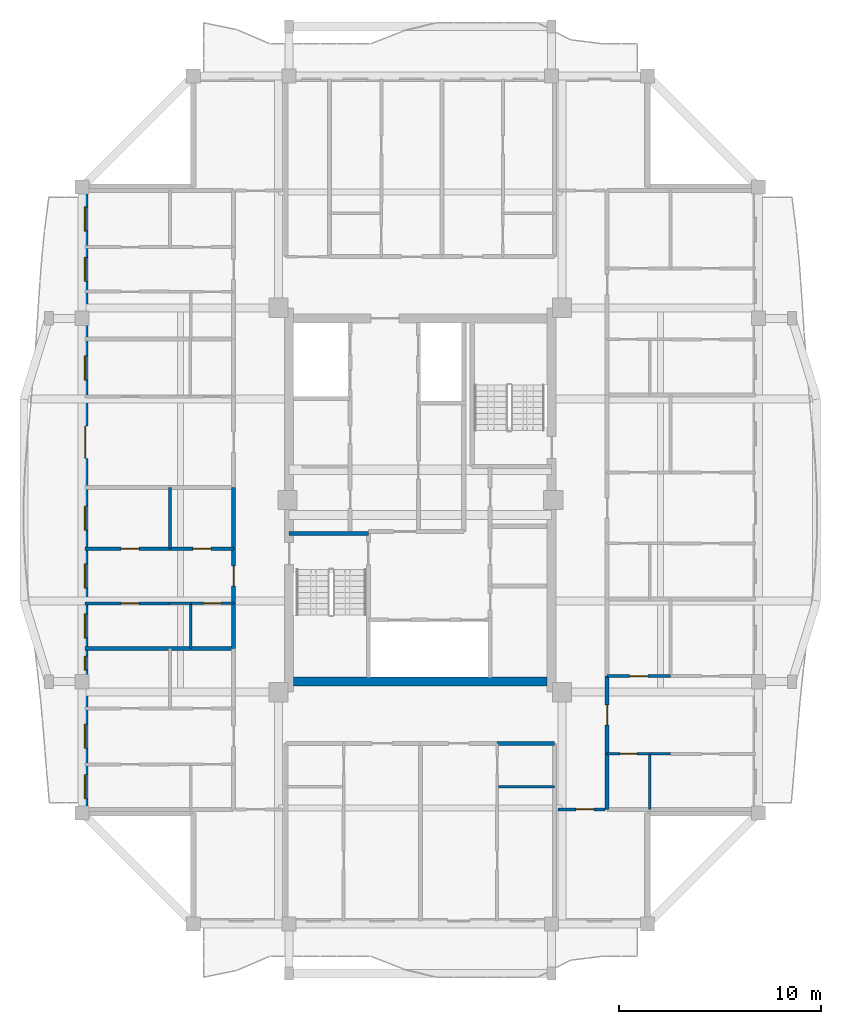
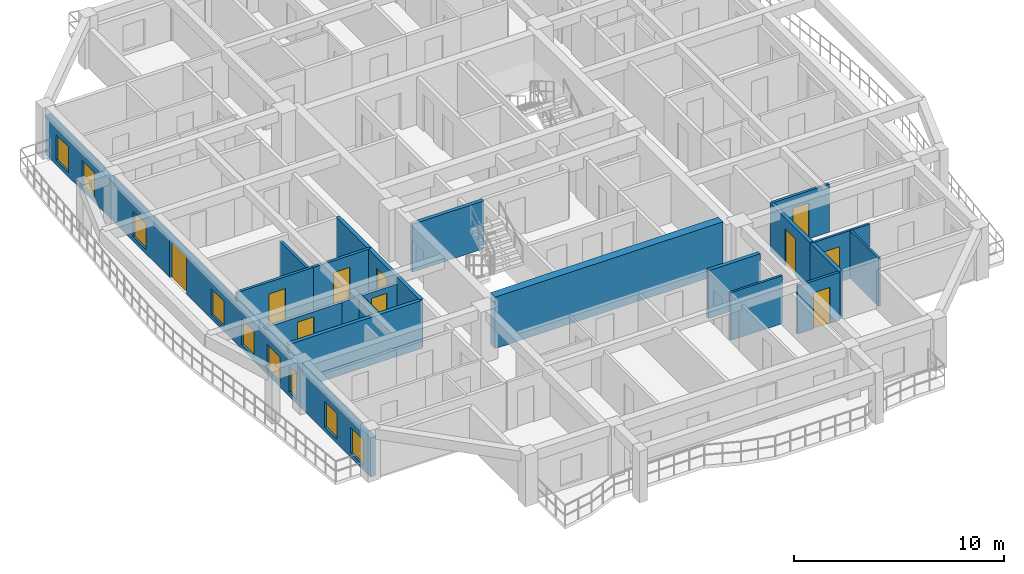
# One storey, part 3 of 14: 23 walls, 10 doors, 9 windows, 19 openings.
"""IFC4 building model written with IfcOpenShell, lengths in metres."""

from ifc_helpers import new_model, si_unit, direction, frame, frame_2d, origin, place, context, subcontext, project, spatial, rectangle, extrude, source, transform, mapped, material, layer, layer_set, type_object, element, fill, save


model = new_model("IFC4")

# Units and contexts
model_context = context("Model", 3, precision=1e-05, world=origin(), true_north=direction((0.0, 1.0)))
body_context = subcontext(model_context, "Body", "Model", "MODEL_VIEW")
ifc_project = project(units=[si_unit("LENGTHUNIT", "METRE"), si_unit("AREAUNIT", "SQUARE_METRE"), si_unit("VOLUMEUNIT", "CUBIC_METRE"), si_unit("PLANEANGLEUNIT", "RADIAN"), si_unit("MASSUNIT", "GRAM", prefix="KILO")], contexts=[model_context])

# Site, building, storey
site_placement = place(None, origin())
site = spatial("IfcSite", under=ifc_project, at=site_placement, CompositionType="ELEMENT")
building_placement = place(site_placement, origin())
building = spatial("IfcBuilding", under=site, at=building_placement, Name="Saelheon Loggia Tower", CompositionType="ELEMENT")
storey_placement = place(building_placement, frame((0.0, 0.0, 230.10009765625)))
storey = spatial("IfcBuildingStorey", under=building, at=storey_placement, Name="L71", CompositionType="ELEMENT", Elevation=230.10009765625)

# Wall
ifc_material_1 = material(Name="Concrete C45/55", Category="concrete")
ifc_layer_1 = layer(ifc_material_1, 0.449951171875)
ifc_layer_set_1 = layer_set([ifc_layer_1], Name="Concrete C45/55")
wall_type_1 = type_object("IfcWallType", Name="Wall_CoreShear_450", PredefinedType="SHEAR", material=ifc_layer_set_1)
wall_1_placement = place(storey_placement, frame((31.72509765625, 18.0, 0.0), z_axis=(0.0, 0.0, 1.0), x_axis=(1.0, 0.0, 0.0)))
element("IfcWall", 1, at=wall_1_placement, inside=storey, type_object=wall_type_1, Name="L71 Core Shear Wall South", PredefinedType="SHEAR", context=body_context, shape_type="SweptSolid", body=[
    extrude(rectangle(XDim=12.5498046875, YDim=0.449951171875, at=frame_2d((6.27490234375, 0.0))), origin(), (0.0, 0.0, 1.0), 3.0),
])

# Wall, openings, windows, door
ifc_material_2 = material(Name="Architectural Precast Concrete C40/50", Category="concrete")
ifc_layer_2 = layer(ifc_material_2, 0.280029296875)
ifc_layer_set_2 = layer_set([ifc_layer_2], Name="Architectural Precast Concrete C40/50")
wall_type_2 = type_object("IfcWallType", Name="Wall_Ext_Loggia_280", PredefinedType="SOLIDWALL", material=ifc_layer_set_2)
wall_2_placement = place(storey_placement, frame((21.389892578125, 11.5, 0.0), z_axis=(0.0, 0.0, 1.0), x_axis=(0.0, 1.0, 0.0)))
wall_2 = element("IfcWall", 2, at=wall_2_placement, inside=storey, type_object=wall_type_2, Name="L71 West Loggia Inner Wall", PredefinedType="SOLIDWALL", context=body_context, shape_type="SweptSolid", body=[
    extrude(rectangle(XDim=31.0, YDim=0.280029296875, at=frame_2d((15.5, 0.0))), origin(), (0.0, 0.0, 1.0), 2.27978515625),
])
opening_1_placement = place(wall_2_placement, frame((0.7001953125, 0.0, 0.25)))
opening_1 = element("IfcOpeningElement", 3, at=opening_1_placement, cuts=wall_2, Name="Opening WN-03", PredefinedType="OPENING", context=body_context, shape_type="SweptSolid", body=[
    extrude(rectangle(XDim=1.199951171875, YDim=1.5, at=frame_2d((0.60009765625, 0.75))), frame((0.0, 0.152099609375, 0.0), z_axis=(0.0, -1.0, 0.0), x_axis=(1.0, 0.0, 0.0)), (0.0, 0.0, 1.0), 0.303955078125),
])
opening_2_placement = place(wall_2_placement, frame((3.1953125, 0.0, 0.25)))
opening_2 = element("IfcOpeningElement", 4, at=opening_2_placement, cuts=wall_2, Name="Opening WN-03", PredefinedType="OPENING", context=body_context, shape_type="SweptSolid", body=[
    extrude(rectangle(XDim=1.199951171875, YDim=1.5, at=frame_2d((0.60009765625, 0.75))), frame((0.0, 0.152099609375, 0.0), z_axis=(0.0, -1.0, 0.0), x_axis=(1.0, 0.0, 0.0)), (0.0, 0.0, 1.0), 0.303955078125),
])
opening_3_placement = place(wall_2_placement, frame((7.068115234375, 0.0, 0.25)))
opening_3 = element("IfcOpeningElement", 5, at=opening_3_placement, cuts=wall_2, Name="Opening WN-06", PredefinedType="OPENING", context=body_context, shape_type="SweptSolid", body=[
    extrude(rectangle(XDim=0.699951171875, YDim=1.5, at=frame_2d((0.35009765625, 0.75))), frame((0.0, 0.152099609375, 0.0), z_axis=(0.0, -1.0, 0.0), x_axis=(1.0, 0.0, 0.0)), (0.0, 0.0, 1.0), 0.303955078125),
])
opening_4_placement = place(wall_2_placement, frame((8.66162109375, 0.0, 0.25)))
opening_4 = element("IfcOpeningElement", 6, at=opening_4_placement, cuts=wall_2, Name="Opening WN-03", PredefinedType="OPENING", context=body_context, shape_type="SweptSolid", body=[
    extrude(rectangle(XDim=1.199951171875, YDim=1.5, at=frame_2d((0.60009765625, 0.75))), frame((0.0, 0.152099609375, 0.0), z_axis=(0.0, -1.0, 0.0), x_axis=(1.0, 0.0, 0.0)), (0.0, 0.0, 1.0), 0.303955078125),
])
opening_5_placement = place(wall_2_placement, frame((11.13134765625, 0.0, 0.25)))
opening_5 = element("IfcOpeningElement", 7, at=opening_5_placement, cuts=wall_2, Name="Opening WN-03", PredefinedType="OPENING", context=body_context, shape_type="SweptSolid", body=[
    extrude(rectangle(XDim=1.199951171875, YDim=1.5, at=frame_2d((0.60009765625, 0.75))), frame((0.0, 0.152099609375, 0.0), z_axis=(0.0, -1.0, 0.0), x_axis=(1.0, 0.0, 0.0)), (0.0, 0.0, 1.0), 0.303955078125),
])
opening_6_placement = place(wall_2_placement, frame((13.999267578125, 0.0, 0.25)))
opening_6 = element("IfcOpeningElement", 8, at=opening_6_placement, cuts=wall_2, Name="Opening WN-03", PredefinedType="OPENING", context=body_context, shape_type="SweptSolid", body=[
    extrude(rectangle(XDim=1.199951171875, YDim=1.5, at=frame_2d((0.60009765625, 0.75))), frame((0.0, 0.152099609375, 0.0), z_axis=(0.0, -1.0, 0.0), x_axis=(1.0, 0.0, 0.0)), (0.0, 0.0, 1.0), 0.303955078125),
])
opening_7_placement = place(wall_2_placement, frame((17.564697265625, 0.0, 0.0)))
opening_7 = element("IfcOpeningElement", 9, at=opening_7_placement, cuts=wall_2, Name="Opening DLG-1", PredefinedType="OPENING", context=body_context, shape_type="SweptSolid", body=[
    extrude(rectangle(XDim=1.60009765625, YDim=2.14990234375, at=frame_2d((0.800048828125, 1.074951171875))), frame((0.0, 0.152099609375, 0.0), z_axis=(0.0, -1.0, 0.0), x_axis=(1.0, 0.0, 0.0)), (0.0, 0.0, 1.0), 0.303955078125),
])
opening_8_placement = place(wall_2_placement, frame((21.44140625, 0.0, 0.25)))
opening_8 = element("IfcOpeningElement", 10, at=opening_8_placement, cuts=wall_2, Name="Opening WN-03", PredefinedType="OPENING", context=body_context, shape_type="SweptSolid", body=[
    extrude(rectangle(XDim=1.199951171875, YDim=1.5, at=frame_2d((0.60009765625, 0.75))), frame((0.0, 0.152099609375, 0.0), z_axis=(0.0, -1.0, 0.0), x_axis=(1.0, 0.0, 0.0)), (0.0, 0.0, 1.0), 0.303955078125),
])
opening_9_placement = place(wall_2_placement, frame((26.32275390625, 0.0, 0.25)))
opening_9 = element("IfcOpeningElement", 11, at=opening_9_placement, cuts=wall_2, Name="Opening WN-03", PredefinedType="OPENING", context=body_context, shape_type="SweptSolid", body=[
    extrude(rectangle(XDim=1.199951171875, YDim=1.5, at=frame_2d((0.60009765625, 0.75))), frame((0.0, 0.152099609375, 0.0), z_axis=(0.0, -1.0, 0.0), x_axis=(1.0, 0.0, 0.0)), (0.0, 0.0, 1.0), 0.303955078125),
])
opening_10_placement = place(wall_2_placement, frame((28.81787109375, 0.0, 0.25)))
opening_10 = element("IfcOpeningElement", 12, at=opening_10_placement, cuts=wall_2, Name="Opening WN-03", PredefinedType="OPENING", context=body_context, shape_type="SweptSolid", body=[
    extrude(rectangle(XDim=1.199951171875, YDim=1.5, at=frame_2d((0.60009765625, 0.75))), frame((0.0, 0.152099609375, 0.0), z_axis=(0.0, -1.0, 0.0), x_axis=(1.0, 0.0, 0.0)), (0.0, 0.0, 1.0), 0.303955078125),
])
ifc_material_3 = material(Name="Thermal-Break Aluminium and Triple Low-E Glass", Category="aluminium")
window_type_1 = type_object("IfcWindowType", Name="Win_Slot_700x1500", PartitioningType="SINGLE_PANEL", PredefinedType="WINDOW", material=ifc_material_3)
shared_shape_1 = source(origin(), body_context, "Body", "SweptSolid", [
    extrude(rectangle(XDim=0.699951171875, YDim=1.5, at=frame_2d((0.35009765625, 0.75))), frame((0.0, 0.030029296875, 0.0), z_axis=(0.0, -1.0, 0.0), x_axis=(1.0, 0.0, 0.0)), (0.0, 0.0, 1.0), 0.06005859375),
])
window_1_placement = place(opening_3_placement, origin())
window_1 = element("IfcWindow", 13, at=window_1_placement, inside=storey, type_object=window_type_1, Name="L71 W Dwelling Window 3", OverallHeight=1.5, OverallWidth=0.699951171875, PartitioningType="SINGLE_PANEL", PredefinedType="WINDOW", context=body_context, shape_type="MappedRepresentation", body=[
    mapped(shared_shape_1, transform((0.0, 0.0, 0.0), scale=1.0)),
])
fill(opening_3, window_1)
window_type_2 = type_object("IfcWindowType", Name="Win_Bedroom_1200x1500", PartitioningType="SINGLE_PANEL", PredefinedType="WINDOW", material=ifc_material_3)
shared_shape_2 = source(origin(), body_context, "Body", "SweptSolid", [
    extrude(rectangle(XDim=1.199951171875, YDim=1.5, at=frame_2d((0.60009765625, 0.75))), frame((0.0, 0.030029296875, 0.0), z_axis=(0.0, -1.0, 0.0), x_axis=(1.0, 0.0, 0.0)), (0.0, 0.0, 1.0), 0.06005859375),
])
window_2_placement = place(opening_1_placement, origin())
window_2 = element("IfcWindow", 14, at=window_2_placement, inside=storey, type_object=window_type_2, Name="L71 W Dwelling Window 1", OverallHeight=1.5, OverallWidth=1.199951171875, PartitioningType="SINGLE_PANEL", PredefinedType="WINDOW", context=body_context, shape_type="MappedRepresentation", body=[
    mapped(shared_shape_2, transform((0.0, 0.0, 0.0), scale=1.0)),
])
fill(opening_1, window_2)
window_3_placement = place(opening_2_placement, origin())
window_3 = element("IfcWindow", 15, at=window_3_placement, inside=storey, type_object=window_type_2, Name="L71 W Dwelling Window 2", OverallHeight=1.5, OverallWidth=1.199951171875, PartitioningType="SINGLE_PANEL", PredefinedType="WINDOW", context=body_context, shape_type="MappedRepresentation", body=[
    mapped(shared_shape_2, transform((0.0, 0.0, 0.0), scale=1.0)),
])
fill(opening_2, window_3)
window_4_placement = place(opening_4_placement, origin())
window_4 = element("IfcWindow", 16, at=window_4_placement, inside=storey, type_object=window_type_2, Name="L71 W Dwelling Window 4", OverallHeight=1.5, OverallWidth=1.199951171875, PartitioningType="SINGLE_PANEL", PredefinedType="WINDOW", context=body_context, shape_type="MappedRepresentation", body=[
    mapped(shared_shape_2, transform((0.0, 0.0, 0.0), scale=1.0)),
])
fill(opening_4, window_4)
window_5_placement = place(opening_5_placement, origin())
window_5 = element("IfcWindow", 17, at=window_5_placement, inside=storey, type_object=window_type_2, Name="L71 W Dwelling Window 5", OverallHeight=1.5, OverallWidth=1.199951171875, PartitioningType="SINGLE_PANEL", PredefinedType="WINDOW", context=body_context, shape_type="MappedRepresentation", body=[
    mapped(shared_shape_2, transform((0.0, 0.0, 0.0), scale=1.0)),
])
fill(opening_5, window_5)
window_6_placement = place(opening_6_placement, origin())
window_6 = element("IfcWindow", 18, at=window_6_placement, inside=storey, type_object=window_type_2, Name="L71 W Dwelling Window 6", OverallHeight=1.5, OverallWidth=1.199951171875, PartitioningType="SINGLE_PANEL", PredefinedType="WINDOW", context=body_context, shape_type="MappedRepresentation", body=[
    mapped(shared_shape_2, transform((0.0, 0.0, 0.0), scale=1.0)),
])
fill(opening_6, window_6)
window_7_placement = place(opening_8_placement, origin())
window_7 = element("IfcWindow", 19, at=window_7_placement, inside=storey, type_object=window_type_2, Name="L71 W Dwelling Window 8", OverallHeight=1.5, OverallWidth=1.199951171875, PartitioningType="SINGLE_PANEL", PredefinedType="WINDOW", context=body_context, shape_type="MappedRepresentation", body=[
    mapped(shared_shape_2, transform((0.0, 0.0, 0.0), scale=1.0)),
])
fill(opening_8, window_7)
window_8_placement = place(opening_9_placement, origin())
window_8 = element("IfcWindow", 20, at=window_8_placement, inside=storey, type_object=window_type_2, Name="L71 W Dwelling Window 9", OverallHeight=1.5, OverallWidth=1.199951171875, PartitioningType="SINGLE_PANEL", PredefinedType="WINDOW", context=body_context, shape_type="MappedRepresentation", body=[
    mapped(shared_shape_2, transform((0.0, 0.0, 0.0), scale=1.0)),
])
fill(opening_9, window_8)
window_9_placement = place(opening_10_placement, origin())
window_9 = element("IfcWindow", 21, at=window_9_placement, inside=storey, type_object=window_type_2, Name="L71 W Dwelling Window 10", OverallHeight=1.5, OverallWidth=1.199951171875, PartitioningType="SINGLE_PANEL", PredefinedType="WINDOW", context=body_context, shape_type="MappedRepresentation", body=[
    mapped(shared_shape_2, transform((0.0, 0.0, 0.0), scale=1.0)),
])
fill(opening_10, window_9)
ifc_material_4 = material(Name="Thermal-Break Aluminium Sliding Glazed Door", Category="aluminium")
door_type_1 = type_object("IfcDoorType", Name="Door_LoggiaSlide_1600", OperationType="SLIDING_TO_LEFT", PredefinedType="DOOR", material=ifc_material_4)
shared_shape_3 = source(origin(), body_context, "Body", "SweptSolid", [
    extrude(rectangle(XDim=1.60009765625, YDim=2.14990234375, at=frame_2d((0.800048828125, 1.074951171875))), frame((0.0, 0.02490234375, 0.0), z_axis=(0.0, -1.0, 0.0), x_axis=(1.0, 0.0, 0.0)), (0.0, 0.0, 1.0), 0.050048828125),
])
door_1_placement = place(opening_7_placement, origin())
door_1 = element("IfcDoor", 22, at=door_1_placement, inside=storey, type_object=door_type_1, Name="L71 W Loggia Access Door", OperationType="SLIDING_TO_LEFT", OverallHeight=2.14990234375, OverallWidth=1.60009765625, PredefinedType="DOOR", context=body_context, shape_type="MappedRepresentation", body=[
    mapped(shared_shape_3, transform((0.0, 0.0, 0.0), scale=1.0)),
])
fill(opening_7, door_1)

# Wall, opening, door
ifc_material_5 = material(Name="Lightweight Autoclaved Aerated Concrete Block and Acoustic Gypsum", Category="concrete")
ifc_layer_3 = layer(ifc_material_5, 0.14990234375)
ifc_layer_set_3 = layer_set([ifc_layer_3], Name="Lightweight Autoclaved Aerated Concrete Block and Acoustic Gypsum")
wall_type_3 = type_object("IfcWallType", Name="Wall_Part_150", PredefinedType="PARTITIONING", material=ifc_layer_set_3)
wall_3_placement = place(storey_placement, frame((44.820068359375, 11.679931640625, 0.0), z_axis=(0.0, 0.0, 1.0), x_axis=(1.0, 0.0, 0.0)))
wall_3 = element("IfcWall", 23, at=wall_3_placement, inside=storey, type_object=wall_type_3, Name="PW-L71-CSE-H", PredefinedType="PARTITIONING", context=body_context, shape_type="SweptSolid", body=[
    extrude(rectangle(XDim=2.329833984375, YDim=0.14990234375, at=frame_2d((1.1650390625, 0.0))), origin(), (0.0, 0.0, 1.0), 2.789794921875),
])
opening_11_placement = place(wall_3_placement, frame((0.8798828125, 0.0, 0.0)))
opening_11 = element("IfcOpeningElement", 24, at=opening_11_placement, cuts=wall_3, Name="Opening D-IN2", PredefinedType="OPENING", context=body_context, shape_type="SweptSolid", body=[
    extrude(rectangle(XDim=0.89990234375, YDim=2.10009765625, at=frame_2d((0.449951171875, 1.050048828125))), frame((0.0, 0.0869140625, 0.0), z_axis=(0.0, -1.0, 0.0), x_axis=(1.0, 0.0, 0.0)), (0.0, 0.0, 1.0), 0.173828125),
])
ifc_material_6 = material(Name="Engineered Oak Flush Door", Category="timber")
door_type_2 = type_object("IfcDoorType", Name="Door_Int_900", OperationType="NOTDEFINED", PredefinedType="DOOR", material=ifc_material_6)
shared_shape_4 = source(origin(), body_context, "Body", "SweptSolid", [
    extrude(rectangle(XDim=0.89990234375, YDim=2.10009765625, at=frame_2d((0.449951171875, 1.050048828125))), frame((0.0, 0.02490234375, 0.0), z_axis=(0.0, -1.0, 0.0), x_axis=(1.0, 0.0, 0.0)), (0.0, 0.0, 1.0), 0.050048828125),
])
door_2_placement = place(opening_11_placement, origin())
door_2 = element("IfcDoor", 25, at=door_2_placement, inside=storey, type_object=door_type_2, Name="L71 Corner Reading Room SE Door", OperationType="SINGLE_SWING_LEFT", OverallHeight=2.10009765625, OverallWidth=0.89990234375, PredefinedType="DOOR", context=body_context, shape_type="MappedRepresentation", body=[
    mapped(shared_shape_4, transform((0.0, 0.0, 0.0), scale=1.0)),
])
fill(opening_11, door_2)

# Wall
wall_4_placement = place(storey_placement, frame((25.610107421875, 24.585693359375, 0.0), z_axis=(0.0, 0.0, 1.0), x_axis=(0.0, 1.0, 0.0)))
element("IfcWall", 26, at=wall_4_placement, inside=storey, type_object=wall_type_3, Name="L71 W Partition V18", PredefinedType="PARTITIONING", context=body_context, shape_type="SweptSolid", body=[
    extrude(rectangle(XDim=3.027099609375, YDim=0.14990234375, at=frame_2d((1.513671875, 0.0))), origin(), (0.0, 0.0, 1.0), 2.489990234375),
])

# Wall, opening, door
wall_5_placement = place(storey_placement, frame((25.610107421875, 21.876953125, 0.0), z_axis=(0.0, 0.0, 1.0), x_axis=(-1.0, 0.0, 0.0)))
wall_5 = element("IfcWall", 27, at=wall_5_placement, inside=storey, type_object=wall_type_3, Name="L71 W Partition U21", PredefinedType="PARTITIONING", context=body_context, shape_type="SweptSolid", body=[
    extrude(rectangle(XDim=4.210205078125, YDim=0.14990234375, at=frame_2d((2.10498046875, 0.0))), origin(), (0.0, 0.0, 1.0), 2.389892578125),
])
opening_12_placement = place(wall_5_placement, frame((1.537109375, 0.0, 0.0)))
opening_12 = element("IfcOpeningElement", 28, at=opening_12_placement, cuts=wall_5, Name="Opening D-IN2", PredefinedType="OPENING", context=body_context, shape_type="SweptSolid", body=[
    extrude(rectangle(XDim=0.89990234375, YDim=2.10009765625, at=frame_2d((0.449951171875, 1.050048828125))), frame((0.0, 0.0869140625, 0.0), z_axis=(0.0, -1.0, 0.0), x_axis=(1.0, 0.0, 0.0)), (0.0, 0.0, 1.0), 0.173828125),
])
door_3_placement = place(opening_12_placement, origin())
door_3 = element("IfcDoor", 29, at=door_3_placement, inside=storey, type_object=door_type_2, Name="Unit U06 Kitchen Door", OperationType="SINGLE_SWING_LEFT", OverallHeight=2.10009765625, OverallWidth=0.89990234375, PredefinedType="DOOR", context=body_context, shape_type="MappedRepresentation", body=[
    mapped(shared_shape_4, transform((0.0, 0.0, 0.0), scale=1.0)),
])
fill(opening_12, door_3)

wall_6_placement = place(storey_placement, frame((28.75, 24.585693359375, 0.0), z_axis=(0.0, 0.0, 1.0), x_axis=(-1.0, 0.0, 0.0)))
wall_6 = element("IfcWall", 30, at=wall_6_placement, inside=storey, type_object=wall_type_3, Name="L71 W Partition U22", PredefinedType="PARTITIONING", context=body_context, shape_type="SweptSolid", body=[
    extrude(rectangle(XDim=3.139892578125, YDim=0.14990234375, at=frame_2d((1.56982421875, 0.0))), origin(), (0.0, 0.0, 1.0), 2.789794921875),
])
opening_13_placement = place(wall_6_placement, frame((1.1201171875, 0.0, 0.0)))
opening_13 = element("IfcOpeningElement", 31, at=opening_13_placement, cuts=wall_6, Name="Opening D-IN2", PredefinedType="OPENING", context=body_context, shape_type="SweptSolid", body=[
    extrude(rectangle(XDim=0.89990234375, YDim=2.10009765625, at=frame_2d((0.449951171875, 1.050048828125))), frame((0.0, 0.0869140625, 0.0), z_axis=(0.0, -1.0, 0.0), x_axis=(1.0, 0.0, 0.0)), (0.0, 0.0, 1.0), 0.173828125),
])
door_4_placement = place(opening_13_placement, origin())
door_4 = element("IfcDoor", 32, at=door_4_placement, inside=storey, type_object=door_type_2, Name="Unit U06 Dressing Closet Door", OperationType="SINGLE_SWING_RIGHT", OverallHeight=2.10009765625, OverallWidth=0.89990234375, PredefinedType="DOOR", context=body_context, shape_type="MappedRepresentation", body=[
    mapped(shared_shape_4, transform((0.0, 0.0, 0.0), scale=1.0)),
])
fill(opening_13, door_4)

wall_7_placement = place(storey_placement, frame((25.610107421875, 24.585693359375, 0.0), z_axis=(0.0, 0.0, 1.0), x_axis=(-1.0, 0.0, 0.0)))
wall_7 = element("IfcWall", 33, at=wall_7_placement, inside=storey, type_object=wall_type_3, Name="L71 W Partition U23", PredefinedType="PARTITIONING", context=body_context, shape_type="SweptSolid", body=[
    extrude(rectangle(XDim=4.210205078125, YDim=0.14990234375, at=frame_2d((2.10498046875, 0.0))), origin(), (0.0, 0.0, 1.0), 2.789794921875),
])
opening_14_placement = place(wall_7_placement, frame((1.537109375, 0.0, 0.0)))
opening_14 = element("IfcOpeningElement", 34, at=opening_14_placement, cuts=wall_7, Name="Opening D-IN2", PredefinedType="OPENING", context=body_context, shape_type="SweptSolid", body=[
    extrude(rectangle(XDim=0.89990234375, YDim=2.10009765625, at=frame_2d((0.449951171875, 1.050048828125))), frame((0.0, 0.0869140625, 0.0), z_axis=(0.0, -1.0, 0.0), x_axis=(1.0, 0.0, 0.0)), (0.0, 0.0, 1.0), 0.173828125),
])
door_5_placement = place(opening_14_placement, origin())
door_5 = element("IfcDoor", 35, at=door_5_placement, inside=storey, type_object=door_type_2, Name="Unit U06 Bedroom 1 Door", OperationType="SINGLE_SWING_LEFT", OverallHeight=2.10009765625, OverallWidth=0.89990234375, PredefinedType="DOOR", context=body_context, shape_type="MappedRepresentation", body=[
    mapped(shared_shape_4, transform((0.0, 0.0, 0.0), scale=1.0)),
])
fill(opening_14, door_5)

wall_8_placement = place(storey_placement, frame((47.25, 18.280029296875, 0.0), z_axis=(0.0, 0.0, 1.0), x_axis=(1.0, 0.0, 0.0)))
wall_8 = element("IfcWall", 36, at=wall_8_placement, inside=storey, type_object=wall_type_3, Name="L71 E Partition U11", PredefinedType="PARTITIONING", context=body_context, shape_type="SweptSolid", body=[
    extrude(rectangle(XDim=3.139892578125, YDim=0.14990234375, at=frame_2d((1.56982421875, 0.0))), origin(), (0.0, 0.0, 1.0), 2.789794921875),
])
opening_15_placement = place(wall_8_placement, frame((1.1201171875, 0.0, 0.0)))
opening_15 = element("IfcOpeningElement", 37, at=opening_15_placement, cuts=wall_8, Name="Opening D-IN2", PredefinedType="OPENING", context=body_context, shape_type="SweptSolid", body=[
    extrude(rectangle(XDim=0.89990234375, YDim=2.10009765625, at=frame_2d((0.449951171875, 1.050048828125))), frame((0.0, 0.0869140625, 0.0), z_axis=(0.0, -1.0, 0.0), x_axis=(1.0, 0.0, 0.0)), (0.0, 0.0, 1.0), 0.173828125),
])
door_6_placement = place(opening_15_placement, origin())
door_6 = element("IfcDoor", 38, at=door_6_placement, inside=storey, type_object=door_type_2, Name="Unit U09 Private Study Door", OperationType="SINGLE_SWING_LEFT", OverallHeight=2.10009765625, OverallWidth=0.89990234375, PredefinedType="DOOR", context=body_context, shape_type="MappedRepresentation", body=[
    mapped(shared_shape_4, transform((0.0, 0.0, 0.0), scale=1.0)),
])
fill(opening_15, door_6)

# Walls
ifc_material_7 = material(Name="Double Acoustic Stud and Fireboard Partition", Category="gypsum")
ifc_layer_4 = layer(ifc_material_7, 0.199951171875)
ifc_layer_set_4 = layer_set([ifc_layer_4], Name="Double Acoustic Stud and Fireboard Partition")
wall_type_4 = type_object("IfcWallType", Name="Wall_Party_200", PredefinedType="PARTITIONING", material=ifc_layer_set_4)
wall_9_placement = place(storey_placement, frame((41.800048828125, 14.949951171875, 0.0), z_axis=(0.0, 0.0, 1.0), x_axis=(1.0, 0.0, 0.0)))
element("IfcWall", 39, at=wall_9_placement, inside=storey, type_object=wall_type_4, Name="L71 S Partition V11", PredefinedType="PARTITIONING", context=body_context, shape_type="SweptSolid", body=[
    extrude(rectangle(XDim=2.849853515625, YDim=0.199951171875, at=frame_2d((1.4248046875, 0.0))), origin(), (0.0, 0.0, 1.0), 2.789794921875),
])
wall_10_placement = place(storey_placement, frame((28.75, 19.646484375, 0.0), z_axis=(0.0, 0.0, 1.0), x_axis=(-1.0, 0.0, 0.0)))
element("IfcWall", 40, at=wall_10_placement, inside=storey, type_object=wall_type_4, Name="L71 W Partition U13", PredefinedType="PARTITIONING", context=body_context, shape_type="SweptSolid", body=[
    extrude(rectangle(XDim=7.35009765625, YDim=0.199951171875, at=frame_2d((3.675048828125, 0.0))), origin(), (0.0, 0.0, 1.0), 2.789794921875),
])
wall_11_placement = place(storey_placement, frame((28.75, 19.646484375, 0.0), z_axis=(0.0, 0.0, 1.0), x_axis=(0.0, 1.0, 0.0)))
element("IfcWall", 41, at=wall_11_placement, inside=storey, type_object=wall_type_4, Name="L71 W Partition V14", PredefinedType="PARTITIONING", context=body_context, shape_type="SweptSolid", body=[
    extrude(rectangle(XDim=2.23046875, YDim=0.199951171875, at=frame_2d((1.115234375, 0.0))), origin(), (0.0, 0.0, 1.0), 2.789794921875),
])

# Wall, opening, door
wall_12_placement = place(storey_placement, frame((28.75, 21.876953125, 0.0), z_axis=(0.0, 0.0, 1.0), x_axis=(0.0, 1.0, 0.0)))
wall_12 = element("IfcWall", 42, at=wall_12_placement, inside=storey, type_object=wall_type_4, Name="L71 W Partition V15", PredefinedType="PARTITIONING", context=body_context, shape_type="SweptSolid", body=[
    extrude(rectangle(XDim=2.708740234375, YDim=0.199951171875, at=frame_2d((1.3544921875, 0.0))), origin(), (0.0, 0.0, 1.0), 2.789794921875),
])
opening_16_placement = place(wall_12_placement, frame((0.854248046875, 0.0, 0.0)))
opening_16 = element("IfcOpeningElement", 43, at=opening_16_placement, cuts=wall_12, Name="Opening D-FD1", PredefinedType="OPENING", context=body_context, shape_type="SweptSolid", body=[
    extrude(rectangle(XDim=1.0, YDim=2.14990234375, at=frame_2d((0.5, 1.074951171875))), frame((0.0, 0.112060546875, 0.0), z_axis=(0.0, -1.0, 0.0), x_axis=(1.0, 0.0, 0.0)), (0.0, 0.0, 1.0), 0.223876953125),
])
ifc_material_8 = material(Name="Fire-Rated Engineered Timber Entrance Door", Category="wood")
door_type_3 = type_object("IfcDoorType", Name="Door_Flat_FD30S", OperationType="NOTDEFINED", PredefinedType="DOOR", material=ifc_material_8)
shared_shape_5 = source(origin(), body_context, "Body", "SweptSolid", [
    extrude(rectangle(XDim=1.0, YDim=2.14990234375, at=frame_2d((0.5, 1.074951171875))), frame((0.0, 0.02490234375, 0.0), z_axis=(0.0, -1.0, 0.0), x_axis=(1.0, 0.0, 0.0)), (0.0, 0.0, 1.0), 0.050048828125),
])
door_7_placement = place(opening_16_placement, origin())
door_7 = element("IfcDoor", 44, at=door_7_placement, inside=storey, type_object=door_type_3, Name="Unit U06 Entrance Door", OperationType="SINGLE_SWING_LEFT", OverallHeight=2.14990234375, OverallWidth=1.0, PredefinedType="DOOR", context=body_context, shape_type="MappedRepresentation", body=[
    mapped(shared_shape_5, transform((0.0, 0.0, 0.0), scale=1.0)),
])
fill(opening_16, door_7)

# Walls
wall_13_placement = place(storey_placement, frame((28.75, 24.585693359375, 0.0), z_axis=(0.0, 0.0, 1.0), x_axis=(0.0, 1.0, 0.0)))
element("IfcWall", 45, at=wall_13_placement, inside=storey, type_object=wall_type_4, Name="L71 W Partition V16", PredefinedType="PARTITIONING", context=body_context, shape_type="SweptSolid", body=[
    extrude(rectangle(XDim=3.027099609375, YDim=0.199951171875, at=frame_2d((1.513671875, 0.0))), origin(), (0.0, 0.0, 1.0), 2.789794921875),
])
wall_14_placement = place(storey_placement, frame((47.25, 11.679931640625, 0.0), z_axis=(0.0, 0.0, 1.0), x_axis=(0.0, 1.0, 0.0)))
element("IfcWall", 46, at=wall_14_placement, inside=storey, type_object=wall_type_4, Name="L71 E Partition V03", PredefinedType="PARTITIONING", context=body_context, shape_type="SweptSolid", body=[
    extrude(rectangle(XDim=2.75, YDim=0.199951171875, at=frame_2d((1.375, 0.0))), origin(), (0.0, 0.0, 1.0), 2.789794921875),
])

# Wall, opening, door
wall_15_placement = place(storey_placement, frame((47.25, 14.429931640625, 0.0), z_axis=(0.0, 0.0, 1.0), x_axis=(0.0, 1.0, 0.0)))
wall_15 = element("IfcWall", 47, at=wall_15_placement, inside=storey, type_object=wall_type_4, Name="L71 E Partition V04", PredefinedType="PARTITIONING", context=body_context, shape_type="SweptSolid", body=[
    extrude(rectangle(XDim=3.85009765625, YDim=0.199951171875, at=frame_2d((1.925048828125, 0.0))), origin(), (0.0, 0.0, 1.0), 2.789794921875),
])
opening_17_placement = place(wall_15_placement, frame((1.425048828125, 0.0, 0.0)))
opening_17 = element("IfcOpeningElement", 48, at=opening_17_placement, cuts=wall_15, Name="Opening D-FD1", PredefinedType="OPENING", context=body_context, shape_type="SweptSolid", body=[
    extrude(rectangle(XDim=1.0, YDim=2.14990234375, at=frame_2d((0.5, 1.074951171875))), frame((0.0, 0.112060546875, 0.0), z_axis=(0.0, -1.0, 0.0), x_axis=(1.0, 0.0, 0.0)), (0.0, 0.0, 1.0), 0.223876953125),
])
door_8_placement = place(opening_17_placement, origin())
door_8 = element("IfcDoor", 49, at=door_8_placement, inside=storey, type_object=door_type_3, Name="Unit U09 Entrance Door", OperationType="SINGLE_SWING_RIGHT", OverallHeight=2.14990234375, OverallWidth=1.0, PredefinedType="DOOR", context=body_context, shape_type="MappedRepresentation", body=[
    mapped(shared_shape_5, transform((0.0, 0.0, 0.0), scale=1.0)),
])
fill(opening_17, door_8)

# Walls
ifc_layer_5 = layer(ifc_material_1, 0.199951171875)
ifc_layer_set_5 = layer_set([ifc_layer_5], Name="Concrete C45/55")
wall_type_5 = type_object("IfcWallType", Name="Wall_StairShaft_RC200", PredefinedType="SOLIDWALL", material=ifc_layer_set_5)
wall_16_placement = place(storey_placement, frame((31.5, 25.35009765625, 0.0), z_axis=(0.0, 0.0, 1.0), x_axis=(1.0, 0.0, 0.0)))
element("IfcWall", 50, at=wall_16_placement, inside=storey, type_object=wall_type_5, Name="L71 Stair ST1 North Wall", PredefinedType="SOLIDWALL", context=body_context, shape_type="SweptSolid", body=[
    extrude(rectangle(XDim=3.929931640625, YDim=0.199951171875, at=frame_2d((1.96484375, 0.0))), origin(), (0.0, 0.0, 1.0), 2.789794921875),
])
ifc_material_9 = material(Name="Moisture-Resistant Cement Board Partition", Category="gypsum")
ifc_layer_6 = layer(ifc_material_9, 0.1201171875)
ifc_layer_set_6 = layer_set([ifc_layer_6], Name="Moisture-Resistant Cement Board Partition")
wall_type_6 = type_object("IfcWallType", Name="Wall_WetPart_120", PredefinedType="PARTITIONING", material=ifc_layer_set_6)
wall_17_placement = place(storey_placement, frame((41.800048828125, 12.800048828125, 0.0), z_axis=(0.0, 0.0, 1.0), x_axis=(1.0, 0.0, 0.0)))
element("IfcWall", 51, at=wall_17_placement, inside=storey, type_object=wall_type_6, Name="L71 S Partition V14", PredefinedType="PARTITIONING", context=body_context, shape_type="SweptSolid", body=[
    extrude(rectangle(XDim=2.849853515625, YDim=0.1201171875, at=frame_2d((1.4248046875, 0.0))), origin(), (0.0, 0.0, 1.0), 2.789794921875),
])
wall_18_placement = place(storey_placement, frame((26.6298828125, 19.646484375, 0.0), z_axis=(0.0, 0.0, 1.0), x_axis=(0.0, 1.0, 0.0)))
element("IfcWall", 52, at=wall_18_placement, inside=storey, type_object=wall_type_6, Name="L71 W Partition V17", PredefinedType="PARTITIONING", context=body_context, shape_type="SweptSolid", body=[
    extrude(rectangle(XDim=2.23046875, YDim=0.1201171875, at=frame_2d((1.115234375, 0.0))), origin(), (0.0, 0.0, 1.0), 2.489990234375),
])

# Wall, opening, door
wall_19_placement = place(storey_placement, frame((28.75, 21.876953125, 0.0), z_axis=(0.0, 0.0, 1.0), x_axis=(-1.0, 0.0, 0.0)))
wall_19 = element("IfcWall", 53, at=wall_19_placement, inside=storey, type_object=wall_type_6, Name="L71 W Partition U19", PredefinedType="PARTITIONING", context=body_context, shape_type="SweptSolid", body=[
    extrude(rectangle(XDim=2.1201171875, YDim=0.1201171875, at=frame_2d((1.06005859375, 0.0))), origin(), (0.0, 0.0, 1.0), 2.389892578125),
])
opening_18_placement = place(wall_19_placement, frame((0.635009765625, 0.0, 0.0)))
opening_18 = element("IfcOpeningElement", 54, at=opening_18_placement, cuts=wall_19, Name="Opening D-BT1", PredefinedType="OPENING", context=body_context, shape_type="SweptSolid", body=[
    extrude(rectangle(XDim=0.85009765625, YDim=2.050048828125, at=frame_2d((0.425048828125, 1.02490234375))), frame((0.0, 0.072021484375, 0.0), z_axis=(0.0, -1.0, 0.0), x_axis=(1.0, 0.0, 0.0)), (0.0, 0.0, 1.0), 0.14404296875),
])
ifc_material_10 = material(Name="Moisture-Resistant Laminate Timber Door", Category="wood")
door_type_4 = type_object("IfcDoorType", Name="Door_Bath_850", OperationType="NOTDEFINED", PredefinedType="DOOR", material=ifc_material_10)
shared_shape_6 = source(origin(), body_context, "Body", "SweptSolid", [
    extrude(rectangle(XDim=0.85009765625, YDim=2.050048828125, at=frame_2d((0.425048828125, 1.02490234375))), frame((0.0, 0.02490234375, 0.0), z_axis=(0.0, -1.0, 0.0), x_axis=(1.0, 0.0, 0.0)), (0.0, 0.0, 1.0), 0.050048828125),
])
door_9_placement = place(opening_18_placement, origin())
door_9 = element("IfcDoor", 55, at=door_9_placement, inside=storey, type_object=door_type_4, Name="Unit U06 Bathroom Door", OperationType="SINGLE_SWING_RIGHT", OverallHeight=2.050048828125, OverallWidth=0.85009765625, PredefinedType="DOOR", context=body_context, shape_type="MappedRepresentation", body=[
    mapped(shared_shape_6, transform((0.0, 0.0, 0.0), scale=1.0)),
])
fill(opening_18, door_9)

# Walls
wall_20_placement = place(storey_placement, frame((26.6298828125, 21.876953125, 0.0), z_axis=(0.0, 0.0, 1.0), x_axis=(-1.0, 0.0, 0.0)))
element("IfcWall", 56, at=wall_20_placement, inside=storey, type_object=wall_type_6, Name="L71 W Partition U20", PredefinedType="PARTITIONING", context=body_context, shape_type="SweptSolid", body=[
    extrude(rectangle(XDim=1.019775390625, YDim=0.1201171875, at=frame_2d((0.509765625, 0.0))), origin(), (0.0, 0.0, 1.0), 2.389892578125),
])
wall_21_placement = place(storey_placement, frame((49.3701171875, 11.679931640625, 0.0), z_axis=(0.0, 0.0, 1.0), x_axis=(0.0, 1.0, 0.0)))
element("IfcWall", 57, at=wall_21_placement, inside=storey, type_object=wall_type_6, Name="L71 E Partition V06", PredefinedType="PARTITIONING", context=body_context, shape_type="SweptSolid", body=[
    extrude(rectangle(XDim=2.75, YDim=0.1201171875, at=frame_2d((1.375, 0.0))), origin(), (0.0, 0.0, 1.0), 2.789794921875),
])

# Wall, opening, door
wall_22_placement = place(storey_placement, frame((47.25, 14.429931640625, 0.0), z_axis=(0.0, 0.0, 1.0), x_axis=(1.0, 0.0, 0.0)))
wall_22 = element("IfcWall", 58, at=wall_22_placement, inside=storey, type_object=wall_type_6, Name="L71 E Partition U08", PredefinedType="PARTITIONING", context=body_context, shape_type="SweptSolid", body=[
    extrude(rectangle(XDim=2.1201171875, YDim=0.1201171875, at=frame_2d((1.06005859375, 0.0))), origin(), (0.0, 0.0, 1.0), 2.789794921875),
])
opening_19_placement = place(wall_22_placement, frame((0.635009765625, 0.0, 0.0)))
opening_19 = element("IfcOpeningElement", 59, at=opening_19_placement, cuts=wall_22, Name="Opening D-BT1", PredefinedType="OPENING", context=body_context, shape_type="SweptSolid", body=[
    extrude(rectangle(XDim=0.85009765625, YDim=2.050048828125, at=frame_2d((0.425048828125, 1.02490234375))), frame((0.0, 0.072021484375, 0.0), z_axis=(0.0, -1.0, 0.0), x_axis=(1.0, 0.0, 0.0)), (0.0, 0.0, 1.0), 0.14404296875),
])
door_10_placement = place(opening_19_placement, origin())
door_10 = element("IfcDoor", 60, at=door_10_placement, inside=storey, type_object=door_type_4, Name="Unit U09 Bathroom Door", OperationType="SINGLE_SWING_LEFT", OverallHeight=2.050048828125, OverallWidth=0.85009765625, PredefinedType="DOOR", context=body_context, shape_type="MappedRepresentation", body=[
    mapped(shared_shape_6, transform((0.0, 0.0, 0.0), scale=1.0)),
])
fill(opening_19, door_10)

# Wall
wall_23_placement = place(storey_placement, frame((49.3701171875, 14.429931640625, 0.0), z_axis=(0.0, 0.0, 1.0), x_axis=(1.0, 0.0, 0.0)))
element("IfcWall", 61, at=wall_23_placement, inside=storey, type_object=wall_type_6, Name="L71 E Partition U09", PredefinedType="PARTITIONING", context=body_context, shape_type="SweptSolid", body=[
    extrude(rectangle(XDim=1.019775390625, YDim=0.1201171875, at=frame_2d((0.509765625, 0.0))), origin(), (0.0, 0.0, 1.0), 2.789794921875),
])

save(model, "model.ifc")
